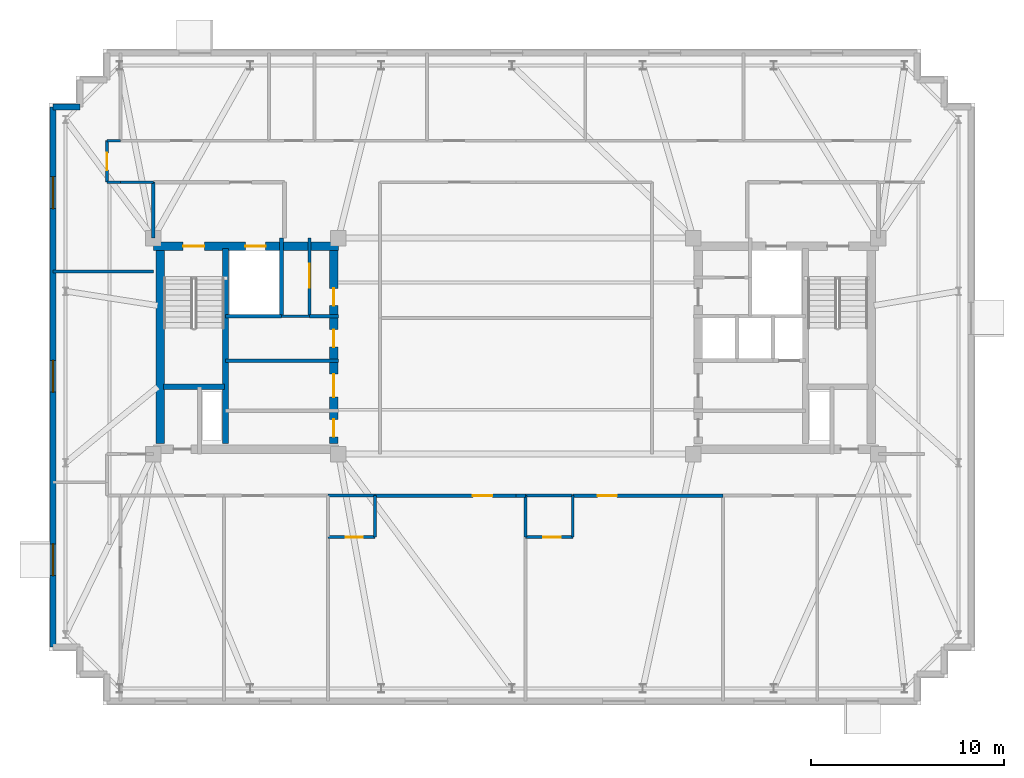
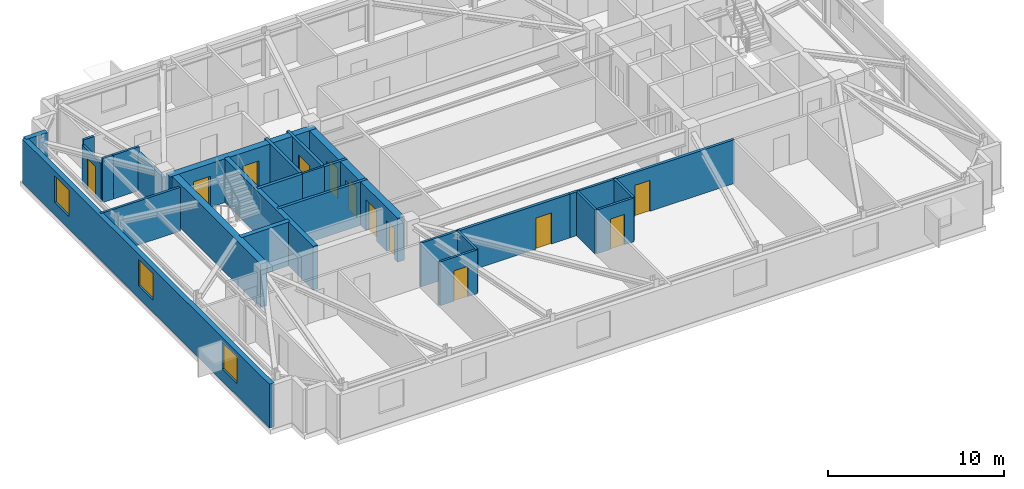
# One storey, part 6 of 11: 29 walls, 12 doors, 3 windows, 15 openings.
"""IFC4 building model written with IfcOpenShell, lengths in metres."""

from ifc_helpers import new_model, si_unit, direction, frame, frame_2d, origin, place, context, subcontext, project, spatial, rectangle, extrude, material, layer, layer_set, type_object, element, fill, save


model = new_model("IFC4")

# Units and contexts
model_context = context("Model", 3, precision=1e-05, world=origin(), true_north=direction((0.0, 1.0)))
body_context = subcontext(model_context, "Body", "Model", "MODEL_VIEW")
ifc_project = project(units=[si_unit("LENGTHUNIT", "METRE"), si_unit("AREAUNIT", "SQUARE_METRE"), si_unit("VOLUMEUNIT", "CUBIC_METRE"), si_unit("PLANEANGLEUNIT", "RADIAN"), si_unit("MASSUNIT", "GRAM", prefix="KILO")], contexts=[model_context])

# Site, building, storey
site_placement = place(None, origin())
site = spatial("IfcSite", under=ifc_project, at=site_placement, CompositionType="ELEMENT")
building_placement = place(site_placement, origin())
building = spatial("IfcBuilding", under=site, at=building_placement, Name="Qobustan Lattice House", CompositionType="ELEMENT")
storey_placement = place(building_placement, frame((0.0, 0.0, 258.449951171875)))
storey = spatial("IfcBuildingStorey", under=building, at=storey_placement, Name="L73", CompositionType="ELEMENT", Elevation=258.449951171875)

# Wall, openings, doors
ifc_material_1 = material(Name="Concrete C50/60", Category="concrete")
ifc_layer_1 = layer(ifc_material_1, 0.43994140625)
ifc_layer_set_1 = layer_set([ifc_layer_1], Name="Concrete C50/60")
wall_type_1 = type_object("IfcWallType", Name="WAL-CORE-440", PredefinedType="SHEAR", material=ifc_layer_set_1)
wall_1_placement = place(storey_placement, frame((-18.800048828125, 5.179931640625, 0.0), z_axis=(0.0, 0.0, 1.0), x_axis=(1.0, 0.0, 0.0)))
wall_1 = element("IfcWall", 1, at=wall_1_placement, inside=storey, type_object=wall_type_1, Name="L73 split-core shear wall CW-N", PredefinedType="SHEAR", context=body_context, shape_type="SweptSolid", body=[
    extrude(rectangle(XDim=9.60009765625, YDim=0.43994140625, at=frame_2d((4.800048828125, 0.0))), origin(), (0.0, 0.0, 1.0), 3.030029296875),
])
opening_1_placement = place(wall_1_placement, frame((1.550048828125, 0.0, 0.0)))
opening_1 = element("IfcOpeningElement", 2, at=opening_1_placement, cuts=wall_1, Name="Opening SD-01", PredefinedType="OPENING", context=body_context, shape_type="SweptSolid", body=[
    extrude(rectangle(XDim=1.10009765625, YDim=2.14990234375, at=frame_2d((0.550048828125, 1.074951171875))), frame((0.0, 0.22998046875, 0.0), z_axis=(0.0, -1.0, 0.0), x_axis=(1.0, 0.0, 0.0)), (0.0, 0.0, 1.0), 0.4599609375),
])
opening_2_placement = place(wall_1_placement, frame((4.77490234375, 0.0, 0.0)))
opening_2 = element("IfcOpeningElement", 3, at=opening_2_placement, cuts=wall_1, Name="Opening LD-01", PredefinedType="OPENING", context=body_context, shape_type="SweptSolid", body=[
    extrude(rectangle(XDim=1.050048828125, YDim=2.10009765625, at=frame_2d((0.52490234375, 1.050048828125))), frame((0.0, 0.22998046875, 0.0), z_axis=(0.0, -1.0, 0.0), x_axis=(1.0, 0.0, 0.0)), (0.0, 0.0, 1.0), 0.4599609375),
])
ifc_material_2 = material(Name="Persian walnut timber and steel frame door", Category="steel")
door_type_1 = type_object("IfcDoorType", Name="DOR-LIFT-LD-1050x2100", OperationType="NOTDEFINED", PredefinedType="DOOR", material=ifc_material_2)
door_1_placement = place(opening_2_placement, origin())
door_1 = element("IfcDoor", 4, at=door_1_placement, inside=storey, type_object=door_type_1, Name="L73 firefighting lift FF-W landing door", OperationType="DOUBLE_DOOR_SLIDING", OverallHeight=2.10009765625, OverallWidth=1.050048828125, PredefinedType="DOOR", context=body_context, shape_type="SweptSolid", body=[
    extrude(rectangle(XDim=1.050048828125, YDim=2.10009765625, at=frame_2d((0.52490234375, 1.050048828125))), frame((0.0, 0.02490234375, 0.0), z_axis=(0.0, -1.0, 0.0), x_axis=(1.0, 0.0, 0.0)), (0.0, 0.0, 1.0), 0.050048828125),
])
fill(opening_2, door_1)
ifc_material_3 = material(Name="Persian walnut timber and steel frame door", Category="steel")
door_type_2 = type_object("IfcDoorType", Name="DOR-STAIR-FD-1100x2150", OperationType="NOTDEFINED", PredefinedType="DOOR", material=ifc_material_3)
door_2_placement = place(opening_1_placement, origin())
door_2 = element("IfcDoor", 5, at=door_2_placement, inside=storey, type_object=door_type_2, Name="L73 exit stair ST-W1 fire door", OperationType="SINGLE_SWING_LEFT", OverallHeight=2.14990234375, OverallWidth=1.10009765625, PredefinedType="DOOR", context=body_context, shape_type="SweptSolid", body=[
    extrude(rectangle(XDim=1.10009765625, YDim=2.14990234375, at=frame_2d((0.550048828125, 1.074951171875))), frame((0.0, 0.02490234375, 0.0), z_axis=(0.0, -1.0, 0.0), x_axis=(1.0, 0.0, 0.0)), (0.0, 0.0, 1.0), 0.050048828125),
])
fill(opening_1, door_2)

# Wall
wall_2_placement = place(storey_placement, frame((-18.429931640625, -5.050048828125, 0.0), z_axis=(0.0, 0.0, 1.0), x_axis=(0.0, 1.0, 0.0)))
element("IfcWall", 6, at=wall_2_placement, inside=storey, type_object=wall_type_1, Name="L73 split-core shear wall CW-W", PredefinedType="SHEAR", context=body_context, shape_type="SweptSolid", body=[
    extrude(rectangle(XDim=10.10009765625, YDim=0.43994140625, at=frame_2d((5.050048828125, 0.0))), origin(), (0.0, 0.0, 1.0), 3.030029296875),
])

# Wall, openings, doors
wall_3_placement = place(storey_placement, frame((-9.449951171875, -5.050048828125, 0.0), z_axis=(0.0, 0.0, 1.0), x_axis=(0.0, 1.0, 0.0)))
wall_3 = element("IfcWall", 7, at=wall_3_placement, inside=storey, type_object=wall_type_1, Name="L73 split-core shear wall CW-E", PredefinedType="SHEAR", context=body_context, shape_type="SweptSolid", body=[
    extrude(rectangle(XDim=10.10009765625, YDim=0.43994140625, at=frame_2d((5.050048828125, 0.0))), origin(), (0.0, 0.0, 1.0), 3.030029296875),
])
opening_3_placement = place(wall_3_placement, frame((7.14990234375, 0.0, 0.0)))
opening_3 = element("IfcOpeningElement", 8, at=opening_3_placement, cuts=wall_3, Name="Opening RD-01", PredefinedType="OPENING", context=body_context, shape_type="SweptSolid", body=[
    extrude(rectangle(XDim=0.89990234375, YDim=2.10009765625, at=frame_2d((0.449951171875, 1.050048828125))), frame((0.0, 0.22998046875, 0.0), z_axis=(0.0, -1.0, 0.0), x_axis=(1.0, 0.0, 0.0)), (0.0, 0.0, 1.0), 0.4599609375),
])
opening_4_placement = place(wall_3_placement, frame((2.39990234375, 0.0, 0.0)))
opening_4 = element("IfcOpeningElement", 9, at=opening_4_placement, cuts=wall_3, Name="Opening FD-01", PredefinedType="OPENING", context=body_context, shape_type="SweptSolid", body=[
    extrude(rectangle(XDim=1.199951171875, YDim=2.14990234375, at=frame_2d((0.60009765625, 1.074951171875))), frame((0.0, 0.22998046875, 0.0), z_axis=(0.0, -1.0, 0.0), x_axis=(1.0, 0.0, 0.0)), (0.0, 0.0, 1.0), 0.4599609375),
])
opening_5_placement = place(wall_3_placement, frame((0.35009765625, 0.0, 0.0)))
opening_5 = element("IfcOpeningElement", 10, at=opening_5_placement, cuts=wall_3, Name="Opening RD-01", PredefinedType="OPENING", context=body_context, shape_type="SweptSolid", body=[
    extrude(rectangle(XDim=0.89990234375, YDim=2.10009765625, at=frame_2d((0.449951171875, 1.050048828125))), frame((0.0, 0.22998046875, 0.0), z_axis=(0.0, -1.0, 0.0), x_axis=(1.0, 0.0, 0.0)), (0.0, 0.0, 1.0), 0.4599609375),
])
opening_6_placement = place(wall_3_placement, frame((5.0, 0.0, 0.0)))
opening_6 = element("IfcOpeningElement", 11, at=opening_6_placement, cuts=wall_3, Name="Opening RD-01", PredefinedType="OPENING", context=body_context, shape_type="SweptSolid", body=[
    extrude(rectangle(XDim=0.89990234375, YDim=2.10009765625, at=frame_2d((0.449951171875, 1.050048828125))), frame((0.0, 0.22998046875, 0.0), z_axis=(0.0, -1.0, 0.0), x_axis=(1.0, 0.0, 0.0)), (0.0, 0.0, 1.0), 0.4599609375),
])
ifc_material_4 = material(Name="Persian walnut timber and steel frame door", Category="steel")
door_type_3 = type_object("IfcDoorType", Name="DOR-LOBBY-FD-1200x2150", OperationType="NOTDEFINED", PredefinedType="DOOR", material=ifc_material_4)
door_3_placement = place(opening_4_placement, origin())
door_3 = element("IfcDoor", 12, at=door_3_placement, inside=storey, type_object=door_type_3, Name="L73 West core foyer fire door", OperationType="SINGLE_SWING_RIGHT", OverallHeight=2.14990234375, OverallWidth=1.199951171875, PredefinedType="DOOR", context=body_context, shape_type="SweptSolid", body=[
    extrude(rectangle(XDim=1.199951171875, YDim=2.14990234375, at=frame_2d((0.60009765625, 1.074951171875))), frame((0.0, 0.02490234375, 0.0), z_axis=(0.0, -1.0, 0.0), x_axis=(1.0, 0.0, 0.0)), (0.0, 0.0, 1.0), 0.050048828125),
])
fill(opening_4, door_3)
ifc_material_5 = material(Name="Persian walnut timber and steel frame door", Category="steel")
door_type_4 = type_object("IfcDoorType", Name="DOR-RISER-FD-900x2100", OperationType="NOTDEFINED", PredefinedType="DOOR", material=ifc_material_5)
door_4_placement = place(opening_3_placement, origin())
door_4 = element("IfcDoor", 13, at=door_4_placement, inside=storey, type_object=door_type_4, Name="L73 Data comms closet fire door", OperationType="SINGLE_SWING_LEFT", OverallHeight=2.10009765625, OverallWidth=0.89990234375, PredefinedType="DOOR", context=body_context, shape_type="SweptSolid", body=[
    extrude(rectangle(XDim=0.89990234375, YDim=2.10009765625, at=frame_2d((0.449951171875, 1.050048828125))), frame((0.0, 0.02490234375, 0.0), z_axis=(0.0, -1.0, 0.0), x_axis=(1.0, 0.0, 0.0)), (0.0, 0.0, 1.0), 0.050048828125),
])
fill(opening_3, door_4)
door_5_placement = place(opening_5_placement, origin())
door_5 = element("IfcDoor", 14, at=door_5_placement, inside=storey, type_object=door_type_4, Name="L73 Collaborative study lounge fire door", OperationType="SINGLE_SWING_LEFT", OverallHeight=2.10009765625, OverallWidth=0.89990234375, PredefinedType="DOOR", context=body_context, shape_type="SweptSolid", body=[
    extrude(rectangle(XDim=0.89990234375, YDim=2.10009765625, at=frame_2d((0.449951171875, 1.050048828125))), frame((0.0, 0.02490234375, 0.0), z_axis=(0.0, -1.0, 0.0), x_axis=(1.0, 0.0, 0.0)), (0.0, 0.0, 1.0), 0.050048828125),
])
fill(opening_5, door_5)
door_6_placement = place(opening_6_placement, origin())
door_6 = element("IfcDoor", 15, at=door_6_placement, inside=storey, type_object=door_type_4, Name="L73 Focus booth pod fire door", OperationType="SINGLE_SWING_RIGHT", OverallHeight=2.10009765625, OverallWidth=0.89990234375, PredefinedType="DOOR", context=body_context, shape_type="SweptSolid", body=[
    extrude(rectangle(XDim=0.89990234375, YDim=2.10009765625, at=frame_2d((0.449951171875, 1.050048828125))), frame((0.0, 0.02490234375, 0.0), z_axis=(0.0, -1.0, 0.0), x_axis=(1.0, 0.0, 0.0)), (0.0, 0.0, 1.0), 0.050048828125),
])
fill(opening_6, door_6)

# Walls
ifc_material_6 = material(Name="Concrete C50/60", Category="concrete")
ifc_layer_2 = layer(ifc_material_6, 0.280029296875)
ifc_layer_set_2 = layer_set([ifc_layer_2], Name="Concrete C50/60")
wall_type_2 = type_object("IfcWallType", Name="WAL-CORE-SPINE-280", PredefinedType="SHEAR", material=ifc_layer_set_2)
wall_4_placement = place(storey_placement, frame((-15.050048828125, -5.050048828125, 0.0), z_axis=(0.0, 0.0, 1.0), x_axis=(0.0, 1.0, 0.0)))
element("IfcWall", 16, at=wall_4_placement, inside=storey, type_object=wall_type_2, Name="L73 split-core shear wall CW-M", PredefinedType="SHEAR", context=body_context, shape_type="SweptSolid", body=[
    extrude(rectangle(XDim=10.10009765625, YDim=0.300048828125, at=frame_2d((5.050048828125, 0.0))), origin(), (0.0, 0.0, 1.0), 3.030029296875),
])
wall_5_placement = place(storey_placement, frame((-18.280029296875, -2.110107421875, 0.0), z_axis=(0.0, 0.0, 1.0), x_axis=(1.0, 0.0, 0.0)))
element("IfcWall", 17, at=wall_5_placement, inside=storey, type_object=wall_type_2, Name="L73 split-core shear wall CW-ST", PredefinedType="SHEAR", context=body_context, shape_type="SweptSolid", body=[
    extrude(rectangle(XDim=3.179931640625, YDim=0.300048828125, at=frame_2d((1.58984375, 0.0))), origin(), (0.0, 0.0, 1.0), 3.030029296875),
])

# Wall, openings, windows
ifc_material_7 = material(Name="Precast concrete C40/50", Category="concrete")
ifc_layer_3 = layer(ifc_material_7, 0.320068359375)
ifc_layer_set_3 = layer_set([ifc_layer_3], Name="Precast concrete C40/50")
wall_type_3 = type_object("IfcWallType", Name="WAL-EXT-STONE-320", PredefinedType="SOLIDWALL", material=ifc_layer_set_3)
wall_6_placement = place(storey_placement, frame((-24.0, -15.60009765625, 0.0), z_axis=(0.0, 0.0, 1.0), x_axis=(0.0, 1.0, 0.0)))
wall_6 = element("IfcWall", 18, at=wall_6_placement, inside=storey, type_object=wall_type_3, Name="L73 exterior limestone-clad wall 5", PredefinedType="SOLIDWALL", context=body_context, shape_type="SweptSolid", body=[
    extrude(rectangle(XDim=28.0, YDim=0.320068359375, at=frame_2d((14.0, 0.0))), origin(), (0.0, 0.0, 1.0), 3.030029296875),
])
opening_7_placement = place(wall_6_placement, frame((3.695068359375, 0.0, 0.85009765625)))
opening_7 = element("IfcOpeningElement", 19, at=opening_7_placement, cuts=wall_6, Name="Opening WN-09", PredefinedType="OPENING", context=body_context, shape_type="SweptSolid", body=[
    extrude(rectangle(XDim=1.64990234375, YDim=1.85009765625, at=frame_2d((0.824951171875, 0.925048828125))), frame((0.0, 0.169921875, 0.0), z_axis=(0.0, -1.0, 0.0), x_axis=(1.0, 0.0, 0.0)), (0.0, 0.0, 1.0), 0.340087890625),
])
opening_8_placement = place(wall_6_placement, frame((13.215087890625, 0.0, 0.85009765625)))
opening_8 = element("IfcOpeningElement", 20, at=opening_8_placement, cuts=wall_6, Name="Opening WN-09", PredefinedType="OPENING", context=body_context, shape_type="SweptSolid", body=[
    extrude(rectangle(XDim=1.64990234375, YDim=1.85009765625, at=frame_2d((0.824951171875, 0.925048828125))), frame((0.0, 0.169921875, 0.0), z_axis=(0.0, -1.0, 0.0), x_axis=(1.0, 0.0, 0.0)), (0.0, 0.0, 1.0), 0.340087890625),
])
opening_9_placement = place(wall_6_placement, frame((22.735107421875, 0.0, 0.85009765625)))
opening_9 = element("IfcOpeningElement", 21, at=opening_9_placement, cuts=wall_6, Name="Opening WN-09", PredefinedType="OPENING", context=body_context, shape_type="SweptSolid", body=[
    extrude(rectangle(XDim=1.64990234375, YDim=1.85009765625, at=frame_2d((0.824951171875, 0.925048828125))), frame((0.0, 0.169921875, 0.0), z_axis=(0.0, -1.0, 0.0), x_axis=(1.0, 0.0, 0.0)), (0.0, 0.0, 1.0), 0.340087890625),
])
ifc_material_8 = material(Name="Double-glazed low-E aluminium window", Category="aluminium")
window_type = type_object("IfcWindowType", Name="WIN-STU-1650x1850", PartitioningType="SINGLE_PANEL", PredefinedType="WINDOW", material=ifc_material_8)
window_1_placement = place(opening_7_placement, origin())
window_1 = element("IfcWindow", 22, at=window_1_placement, inside=storey, type_object=window_type, Name="L73 Focus study room W1 window", OverallHeight=1.85009765625, OverallWidth=1.64990234375, PartitioningType="SINGLE_PANEL", PredefinedType="WINDOW", context=body_context, shape_type="SweptSolid", body=[
    extrude(rectangle(XDim=1.64990234375, YDim=1.85009765625, at=frame_2d((0.824951171875, 0.925048828125))), frame((0.0, 0.030029296875, 0.0), z_axis=(0.0, -1.0, 0.0), x_axis=(1.0, 0.0, 0.0)), (0.0, 0.0, 1.0), 0.06005859375),
])
fill(opening_7, window_1)
window_2_placement = place(opening_8_placement, origin())
window_2 = element("IfcWindow", 23, at=window_2_placement, inside=storey, type_object=window_type, Name="L73 Focus study room W2 window", OverallHeight=1.85009765625, OverallWidth=1.64990234375, PartitioningType="SINGLE_PANEL", PredefinedType="WINDOW", context=body_context, shape_type="SweptSolid", body=[
    extrude(rectangle(XDim=1.64990234375, YDim=1.85009765625, at=frame_2d((0.824951171875, 0.925048828125))), frame((0.0, 0.030029296875, 0.0), z_axis=(0.0, -1.0, 0.0), x_axis=(1.0, 0.0, 0.0)), (0.0, 0.0, 1.0), 0.06005859375),
])
fill(opening_8, window_2)
window_3_placement = place(opening_9_placement, origin())
window_3 = element("IfcWindow", 24, at=window_3_placement, inside=storey, type_object=window_type, Name="L73 Focus study room W3 window", OverallHeight=1.85009765625, OverallWidth=1.64990234375, PartitioningType="SINGLE_PANEL", PredefinedType="WINDOW", context=body_context, shape_type="SweptSolid", body=[
    extrude(rectangle(XDim=1.64990234375, YDim=1.85009765625, at=frame_2d((0.824951171875, 0.925048828125))), frame((0.0, 0.030029296875, 0.0), z_axis=(0.0, -1.0, 0.0), x_axis=(1.0, 0.0, 0.0)), (0.0, 0.0, 1.0), 0.06005859375),
])
fill(opening_9, window_3)

# Wall
wall_7_placement = place(storey_placement, frame((-24.0, 12.39990234375, 0.0), z_axis=(0.0, 0.0, 1.0), x_axis=(1.0, 0.0, 0.0)))
element("IfcWall", 25, at=wall_7_placement, inside=storey, type_object=wall_type_3, Name="L73 exterior limestone-clad wall 6", PredefinedType="SOLIDWALL", context=body_context, shape_type="SweptSolid", body=[
    extrude(rectangle(XDim=1.39990234375, YDim=0.320068359375, at=frame_2d((0.699951171875, 0.0))), origin(), (0.0, 0.0, 1.0), 3.030029296875),
])

# Wall, opening, door
ifc_material_9 = material(Name="Gypsum fireboard acoustic partition", Category="gypsum")
ifc_layer_4 = layer(ifc_material_9, 0.179931640625)
ifc_layer_set_4 = layer_set([ifc_layer_4], Name="Gypsum fireboard acoustic partition")
wall_type_4 = type_object("IfcWallType", Name="WAL-FIRE-180", PredefinedType="PARTITIONING", material=ifc_layer_set_4)
wall_8_placement = place(storey_placement, frame((-10.699951171875, 5.60009765625, 0.0), z_axis=(0.0, 0.0, 1.0), x_axis=(0.0, -1.0, 0.0)))
wall_8 = element("IfcWall", 26, at=wall_8_placement, inside=storey, type_object=wall_type_4, Name="L73 interior partition 6", PredefinedType="PARTITIONING", context=body_context, shape_type="SweptSolid", body=[
    extrude(rectangle(XDim=4.050048828125, YDim=0.179931640625, at=frame_2d((2.02490234375, 0.0))), origin(), (0.0, 0.0, 1.0), 3.030029296875),
])
opening_10_placement = place(wall_8_placement, frame((1.324951171875, 0.0, 0.0)))
opening_10 = element("IfcOpeningElement", 27, at=opening_10_placement, cuts=wall_8, Name="Opening FD-03", PredefinedType="OPENING", context=body_context, shape_type="SweptSolid", body=[
    extrude(rectangle(XDim=1.25, YDim=2.199951171875, at=frame_2d((0.625, 1.10009765625))), frame((0.0, 0.099853515625, 0.0), z_axis=(0.0, -1.0, 0.0), x_axis=(1.0, 0.0, 0.0)), (0.0, 0.0, 1.0), 0.199951171875),
])
ifc_material_10 = material(Name="Persian walnut timber and steel frame door", Category="steel")
door_type_5 = type_object("IfcDoorType", Name="DOR-PLANT-1250x2200", OperationType="NOTDEFINED", PredefinedType="DOOR", material=ifc_material_10)
door_7_placement = place(opening_10_placement, origin())
door_7 = element("IfcDoor", 28, at=door_7_placement, inside=storey, type_object=door_type_5, Name="L73 Data comms closet to Linen store door", OperationType="SINGLE_SWING_RIGHT", OverallHeight=2.199951171875, OverallWidth=1.25, PredefinedType="DOOR", context=body_context, shape_type="SweptSolid", body=[
    extrude(rectangle(XDim=1.25, YDim=2.199951171875, at=frame_2d((0.625, 1.10009765625))), frame((0.0, 0.02490234375, 0.0), z_axis=(0.0, -1.0, 0.0), x_axis=(1.0, 0.0, 0.0)), (0.0, 0.0, 1.0), 0.050048828125),
])
fill(opening_10, door_7)

# Walls
wall_9_placement = place(storey_placement, frame((-10.699951171875, 1.550048828125, 0.0), z_axis=(0.0, 0.0, 1.0), x_axis=(1.0, 0.0, 0.0)))
element("IfcWall", 29, at=wall_9_placement, inside=storey, type_object=wall_type_4, Name="L73 interior partition 7", PredefinedType="PARTITIONING", context=body_context, shape_type="SweptSolid", body=[
    extrude(rectangle(XDim=1.5, YDim=0.179931640625, at=frame_2d((0.75, 0.0))), origin(), (0.0, 0.0, 1.0), 3.030029296875),
])
wall_10_placement = place(storey_placement, frame((-9.199951171875, -0.75, 0.0), z_axis=(0.0, 0.0, 1.0), x_axis=(-1.0, 0.0, 0.0)))
element("IfcWall", 30, at=wall_10_placement, inside=storey, type_object=wall_type_4, Name="L73 interior partition 11", PredefinedType="PARTITIONING", context=body_context, shape_type="SweptSolid", body=[
    extrude(rectangle(XDim=5.85009765625, YDim=0.179931640625, at=frame_2d((2.925048828125, 0.0))), origin(), (0.0, 0.0, 1.0), 3.030029296875),
])

# Wall, opening, door
wall_11_placement = place(storey_placement, frame((0.0, -7.75, 0.0), z_axis=(0.0, 0.0, 1.0), x_axis=(-1.0, 0.0, 0.0)))
wall_11 = element("IfcWall", 31, at=wall_11_placement, inside=storey, type_object=wall_type_4, Name="L73 interior partition 53", PredefinedType="PARTITIONING", context=body_context, shape_type="SweptSolid", body=[
    extrude(rectangle(XDim=7.300048828125, YDim=0.179931640625, at=frame_2d((3.64990234375, 0.0))), origin(), (0.0, 0.0, 1.0), 3.030029296875),
])
opening_11_placement = place(wall_11_placement, frame((1.222412109375, 0.0, 0.0)))
opening_11 = element("IfcOpeningElement", 32, at=opening_11_placement, cuts=wall_11, Name="Opening FD-02", PredefinedType="OPENING", context=body_context, shape_type="SweptSolid", body=[
    extrude(rectangle(XDim=1.0, YDim=2.14990234375, at=frame_2d((0.5, 1.074951171875))), frame((0.0, 0.099853515625, 0.0), z_axis=(0.0, -1.0, 0.0), x_axis=(1.0, 0.0, 0.0)), (0.0, 0.0, 1.0), 0.199951171875),
])
ifc_material_11 = material(Name="Persian walnut timber and steel frame door", Category="steel")
door_type_6 = type_object("IfcDoorType", Name="DOR-UNIT-FD-1000x2150", OperationType="NOTDEFINED", PredefinedType="DOOR", material=ifc_material_11)
door_8_placement = place(opening_11_placement, origin())
door_8 = element("IfcDoor", 33, at=door_8_placement, inside=storey, type_object=door_type_6, Name="L73 South-west floor corridor to Kitchenette and studio apartment L73-S2 door", OperationType="SINGLE_SWING_RIGHT", OverallHeight=2.14990234375, OverallWidth=1.0, PredefinedType="DOOR", context=body_context, shape_type="SweptSolid", body=[
    extrude(rectangle(XDim=1.0, YDim=2.14990234375, at=frame_2d((0.5, 1.074951171875))), frame((0.0, 0.02490234375, 0.0), z_axis=(0.0, -1.0, 0.0), x_axis=(1.0, 0.0, 0.0)), (0.0, 0.0, 1.0), 0.050048828125),
])
fill(opening_11, door_8)

# Wall
wall_12_placement = place(storey_placement, frame((0.5, -7.75, 0.0), z_axis=(0.0, 0.0, 1.0), x_axis=(-1.0, 0.0, 0.0)))
element("IfcWall", 34, at=wall_12_placement, inside=storey, type_object=wall_type_4, Name="L73 interior partition 57", PredefinedType="PARTITIONING", context=body_context, shape_type="SweptSolid", body=[
    extrude(rectangle(XDim=0.5, YDim=0.179931640625, at=frame_2d((0.25, 0.0))), origin(), (0.0, 0.0, 1.0), 3.030029296875),
])

# Wall, opening, door
wall_13_placement = place(storey_placement, frame((10.75, -7.75, 0.0), z_axis=(0.0, 0.0, 1.0), x_axis=(-1.0, 0.0, 0.0)))
wall_13 = element("IfcWall", 35, at=wall_13_placement, inside=storey, type_object=wall_type_4, Name="L73 interior partition 58", PredefinedType="PARTITIONING", context=body_context, shape_type="SweptSolid", body=[
    extrude(rectangle(XDim=7.800048828125, YDim=0.179931640625, at=frame_2d((3.89990234375, 0.0))), origin(), (0.0, 0.0, 1.0), 3.030029296875),
])
opening_12_placement = place(wall_13_placement, frame((5.514892578125, 0.0, 0.0)))
opening_12 = element("IfcOpeningElement", 36, at=opening_12_placement, cuts=wall_13, Name="Opening FD-02", PredefinedType="OPENING", context=body_context, shape_type="SweptSolid", body=[
    extrude(rectangle(XDim=1.0, YDim=2.14990234375, at=frame_2d((0.5, 1.074951171875))), frame((0.0, 0.099853515625, 0.0), z_axis=(0.0, -1.0, 0.0), x_axis=(1.0, 0.0, 0.0)), (0.0, 0.0, 1.0), 0.199951171875),
])
door_9_placement = place(opening_12_placement, origin())
door_9 = element("IfcDoor", 37, at=door_9_placement, inside=storey, type_object=door_type_6, Name="L73 South-east floor corridor to Kitchenette and studio apartment L73-S3 door", OperationType="SINGLE_SWING_LEFT", OverallHeight=2.14990234375, OverallWidth=1.0, PredefinedType="DOOR", context=body_context, shape_type="SweptSolid", body=[
    extrude(rectangle(XDim=1.0, YDim=2.14990234375, at=frame_2d((0.5, 1.074951171875))), frame((0.0, 0.02490234375, 0.0), z_axis=(0.0, -1.0, 0.0), x_axis=(1.0, 0.0, 0.0)), (0.0, 0.0, 1.0), 0.050048828125),
])
fill(opening_12, door_9)

# Wall
ifc_material_12 = material(Name="Lightweight acoustic stud partition", Category="gypsum")
ifc_layer_5 = layer(ifc_material_12, 0.125)
ifc_layer_set_5 = layer_set([ifc_layer_5], Name="Lightweight acoustic stud partition")
wall_type_5 = type_object("IfcWallType", Name="WAL-PART-125", PredefinedType="PARTITIONING", material=ifc_layer_set_5)
wall_14_placement = place(storey_placement, frame((-12.14990234375, 1.550048828125, 0.0), z_axis=(0.0, 0.0, 1.0), x_axis=(1.0, 0.0, 0.0)))
element("IfcWall", 38, at=wall_14_placement, inside=storey, type_object=wall_type_5, Name="L73 interior partition 9", PredefinedType="PARTITIONING", context=body_context, shape_type="SweptSolid", body=[
    extrude(rectangle(XDim=1.449951171875, YDim=0.125, at=frame_2d((0.72509765625, 0.0))), origin(), (0.0, 0.0, 1.0), 3.030029296875),
])

# Wall, opening, door
ifc_material_13 = material(Name="Acoustic twin-stud gypsum partition", Category="gypsum")
ifc_layer_6 = layer(ifc_material_13, 0.14990234375)
ifc_layer_set_6 = layer_set([ifc_layer_6], Name="Acoustic twin-stud gypsum partition")
wall_type_6 = type_object("IfcWallType", Name="WAL-PART-150", PredefinedType="PARTITIONING", material=ifc_layer_set_6)
wall_15_placement = place(storey_placement, frame((-21.199951171875, 8.5, 0.0), z_axis=(0.0, 0.0, 1.0), x_axis=(0.0, 1.0, 0.0)))
wall_15 = element("IfcWall", 39, at=wall_15_placement, inside=storey, type_object=wall_type_6, Name="L73 interior partition 31", PredefinedType="PARTITIONING", context=body_context, shape_type="SweptSolid", body=[
    extrude(rectangle(XDim=2.14990234375, YDim=0.14990234375, at=frame_2d((1.074951171875, 0.0))), origin(), (0.0, 0.0, 1.0), 2.68505859375),
])
opening_13_placement = place(wall_15_placement, frame((0.625, 0.0, 0.0)))
opening_13 = element("IfcOpeningElement", 40, at=opening_13_placement, cuts=wall_15, Name="Opening WD-01", PredefinedType="OPENING", context=body_context, shape_type="SweptSolid", body=[
    extrude(rectangle(XDim=0.89990234375, YDim=2.10009765625, at=frame_2d((0.449951171875, 1.050048828125))), frame((0.0, 0.0849609375, 0.0), z_axis=(0.0, -1.0, 0.0), x_axis=(1.0, 0.0, 0.0)), (0.0, 0.0, 1.0), 0.169921875),
])
ifc_material_14 = material(Name="Persian walnut timber and steel frame door", Category="steel")
door_type_7 = type_object("IfcDoorType", Name="DOR-WET-900x2100", OperationType="NOTDEFINED", PredefinedType="DOOR", material=ifc_material_14)
door_10_placement = place(opening_13_placement, origin())
door_10 = element("IfcDoor", 41, at=door_10_placement, inside=storey, type_object=door_type_7, Name="L73 North-west floor corridor to Focus study room W3 door", OperationType="SINGLE_SWING_RIGHT", OverallHeight=2.10009765625, OverallWidth=0.89990234375, PredefinedType="DOOR", context=body_context, shape_type="SweptSolid", body=[
    extrude(rectangle(XDim=0.89990234375, YDim=2.10009765625, at=frame_2d((0.449951171875, 1.050048828125))), frame((0.0, 0.02490234375, 0.0), z_axis=(0.0, -1.0, 0.0), x_axis=(1.0, 0.0, 0.0)), (0.0, 0.0, 1.0), 0.050048828125),
])
fill(opening_13, door_10)

# Walls
wall_16_placement = place(storey_placement, frame((-18.800048828125, 8.5, 0.0), z_axis=(0.0, 0.0, 1.0), x_axis=(-1.0, 0.0, 0.0)))
element("IfcWall", 42, at=wall_16_placement, inside=storey, type_object=wall_type_6, Name="L73 interior partition 32", PredefinedType="PARTITIONING", context=body_context, shape_type="SweptSolid", body=[
    extrude(rectangle(XDim=1.699951171875, YDim=0.14990234375, at=frame_2d((0.85009765625, 0.0))), origin(), (0.0, 0.0, 1.0), 3.030029296875),
])
for number, where, z_axis, x_axis, name in (
    (43, (-20.5, 8.5, 0.0), (0.0, 0.0, 1.0), (-1.0, 0.0, 0.0), "L73 interior partition 33"),
    (44, (-21.199951171875, 10.64990234375, 0.0), (0.0, 0.0, 1.0), (1.0, 0.0, 0.0), "L73 interior partition 34"),
):
    element("IfcWall", number, at=place(storey_placement, frame(where, z_axis=z_axis, x_axis=x_axis)), inside=storey, type_object=wall_type_6, Name=name, PredefinedType="PARTITIONING", context=body_context, shape_type="SweptSolid", body=[
        extrude(rectangle(XDim=0.699951171875, YDim=0.14990234375, at=frame_2d((0.35009765625, 0.0))), origin(), (0.0, 0.0, 1.0), 3.030029296875),
    ])
wall_17_placement = place(storey_placement, frame((-24.0, 3.860107421875, 0.0), z_axis=(0.0, 0.0, 1.0), x_axis=(1.0, 0.0, 0.0)))
element("IfcWall", 45, at=wall_17_placement, inside=storey, type_object=wall_type_6, Name="L73 interior partition 68", PredefinedType="PARTITIONING", context=body_context, shape_type="SweptSolid", body=[
    extrude(rectangle(XDim=5.199951171875, YDim=0.14990234375, at=frame_2d((2.60009765625, 0.0))), origin(), (0.0, 0.0, 1.0), 3.030029296875),
])
ifc_material_15 = material(Name="Two-hour gypsum fireboard acoustic partition", Category="gypsum")
ifc_layer_7 = layer(ifc_material_15, 0.199951171875)
ifc_layer_set_7 = layer_set([ifc_layer_7], Name="Two-hour gypsum fireboard acoustic partition")
wall_type_7 = type_object("IfcWallType", Name="WAL-PROT-200", PredefinedType="PARTITIONING", material=ifc_layer_set_7)
wall_18_placement = place(storey_placement, frame((-18.800048828125, 8.5, 0.0), z_axis=(0.0, 0.0, 1.0), x_axis=(0.0, -1.0, 0.0)))
element("IfcWall", 46, at=wall_18_placement, inside=storey, type_object=wall_type_7, Name="L73 interior partition 5", PredefinedType="PARTITIONING", context=body_context, shape_type="SweptSolid", body=[
    extrude(rectangle(XDim=2.89990234375, YDim=0.199951171875, at=frame_2d((1.449951171875, 0.0))), origin(), (0.0, 0.0, 1.0), 2.655029296875),
])
ifc_material_16 = material(Name="Concrete C40/50", Category="concrete")
ifc_layer_8 = layer(ifc_material_16, 0.199951171875)
ifc_layer_set_8 = layer_set([ifc_layer_8], Name="Concrete C40/50")
wall_type_8 = type_object("IfcWallType", Name="WAL-SHAFT-200", PredefinedType="PARTITIONING", material=ifc_layer_set_8)
wall_19_placement = place(storey_placement, frame((-12.14990234375, 1.550048828125, 0.0), z_axis=(0.0, 0.0, 1.0), x_axis=(0.0, 1.0, 0.0)))
element("IfcWall", 47, at=wall_19_placement, inside=storey, type_object=wall_type_8, Name="L73 interior partition 2", PredefinedType="PARTITIONING", context=body_context, shape_type="SweptSolid", body=[
    extrude(rectangle(XDim=4.050048828125, YDim=0.199951171875, at=frame_2d((2.02490234375, 0.0))), origin(), (0.0, 0.0, 1.0), 3.030029296875),
])
wall_20_placement = place(storey_placement, frame((-15.050048828125, 1.550048828125, 0.0), z_axis=(0.0, 0.0, 1.0), x_axis=(1.0, 0.0, 0.0)))
element("IfcWall", 48, at=wall_20_placement, inside=storey, type_object=wall_type_8, Name="L73 interior partition 87", PredefinedType="PARTITIONING", context=body_context, shape_type="SweptSolid", body=[
    extrude(rectangle(XDim=2.900146484375, YDim=0.199951171875, at=frame_2d((1.4501953125, 0.0))), origin(), (0.0, 0.0, 1.0), 3.030029296875),
])
ifc_material_17 = material(Name="Moisture-resistant acoustic plumbing wall", Category="gypsum")
ifc_layer_9 = layer(ifc_material_17, 0.14990234375)
ifc_layer_set_9 = layer_set([ifc_layer_9], Name="Moisture-resistant acoustic plumbing wall")
wall_type_9 = type_object("IfcWallType", Name="WAL-WET-150", PredefinedType="PLUMBINGWALL", material=ifc_layer_set_9)
for number, where, z_axis, x_axis, name in (
    (49, (-7.300048828125, -7.75, 0.0), (0.0, 0.0, 1.0), (-1.0, 0.0, 0.0), "L73 interior partition 54"),
    (50, (2.949951171875, -7.75, 0.0), (0.0, 0.0, 1.0), (-1.0, 0.0, 0.0), "L73 interior partition 59"),
):
    element("IfcWall", number, at=place(storey_placement, frame(where, z_axis=z_axis, x_axis=x_axis)), inside=storey, type_object=wall_type_9, Name=name, PredefinedType="PLUMBINGWALL", context=body_context, shape_type="SweptSolid", body=[
        extrude(rectangle(XDim=2.449951171875, YDim=0.14990234375, at=frame_2d((1.22509765625, 0.0))), origin(), (0.0, 0.0, 1.0), 3.030029296875),
    ])

# Wall, opening, door
wall_21_placement = place(storey_placement, frame((-9.75, -9.89990234375, 0.0), z_axis=(0.0, 0.0, 1.0), x_axis=(1.0, 0.0, 0.0)))
wall_21 = element("IfcWall", 51, at=wall_21_placement, inside=storey, type_object=wall_type_9, Name="L73 interior partition 78", PredefinedType="PLUMBINGWALL", context=body_context, shape_type="SweptSolid", body=[
    extrude(rectangle(XDim=2.449951171875, YDim=0.14990234375, at=frame_2d((1.22509765625, 0.0))), origin(), (0.0, 0.0, 1.0), 3.030029296875),
])
opening_14_placement = place(wall_21_placement, frame((0.92138671875, 0.0, 0.0)))
opening_14 = element("IfcOpeningElement", 52, at=opening_14_placement, cuts=wall_21, Name="Opening WD-01", PredefinedType="OPENING", context=body_context, shape_type="SweptSolid", body=[
    extrude(rectangle(XDim=0.89990234375, YDim=2.10009765625, at=frame_2d((0.449951171875, 1.050048828125))), frame((0.0, 0.0849609375, 0.0), z_axis=(0.0, -1.0, 0.0), x_axis=(1.0, 0.0, 0.0)), (0.0, 0.0, 1.0), 0.169921875),
])
door_11_placement = place(opening_14_placement, origin())
door_11 = element("IfcDoor", 53, at=door_11_placement, inside=storey, type_object=door_type_7, Name="L73 Kitchenette and studio apartment L73-S2 to En-suite bathroom L73-S2 door", OperationType="SINGLE_SWING_LEFT", OverallHeight=2.10009765625, OverallWidth=0.89990234375, PredefinedType="DOOR", context=body_context, shape_type="SweptSolid", body=[
    extrude(rectangle(XDim=0.89990234375, YDim=2.10009765625, at=frame_2d((0.449951171875, 1.050048828125))), frame((0.0, 0.02490234375, 0.0), z_axis=(0.0, -1.0, 0.0), x_axis=(1.0, 0.0, 0.0)), (0.0, 0.0, 1.0), 0.050048828125),
])
fill(opening_14, door_11)

# Walls
for number, where, z_axis, x_axis, name in (
    (54, (-7.300048828125, -9.89990234375, 0.0), (0.0, 0.0, 1.0), (0.0, 1.0, 0.0), "L73 interior partition 79"),
    (55, (0.5, -7.75, 0.0), (0.0, 0.0, 1.0), (0.0, -1.0, 0.0), "L73 interior partition 81"),
):
    element("IfcWall", number, at=place(storey_placement, frame(where, z_axis=z_axis, x_axis=x_axis)), inside=storey, type_object=wall_type_9, Name=name, PredefinedType="PLUMBINGWALL", context=body_context, shape_type="SweptSolid", body=[
        extrude(rectangle(XDim=2.14990234375, YDim=0.14990234375, at=frame_2d((1.074951171875, 0.0))), origin(), (0.0, 0.0, 1.0), 3.030029296875),
    ])

# Wall, opening, door
wall_22_placement = place(storey_placement, frame((0.5, -9.89990234375, 0.0), z_axis=(0.0, 0.0, 1.0), x_axis=(1.0, 0.0, 0.0)))
wall_22 = element("IfcWall", 56, at=wall_22_placement, inside=storey, type_object=wall_type_9, Name="L73 interior partition 82", PredefinedType="PLUMBINGWALL", context=body_context, shape_type="SweptSolid", body=[
    extrude(rectangle(XDim=2.449951171875, YDim=0.14990234375, at=frame_2d((1.22509765625, 0.0))), origin(), (0.0, 0.0, 1.0), 3.030029296875),
])
opening_15_placement = place(wall_22_placement, frame((0.92138671875, 0.0, 0.0)))
opening_15 = element("IfcOpeningElement", 57, at=opening_15_placement, cuts=wall_22, Name="Opening WD-01", PredefinedType="OPENING", context=body_context, shape_type="SweptSolid", body=[
    extrude(rectangle(XDim=0.89990234375, YDim=2.10009765625, at=frame_2d((0.449951171875, 1.050048828125))), frame((0.0, 0.0849609375, 0.0), z_axis=(0.0, -1.0, 0.0), x_axis=(1.0, 0.0, 0.0)), (0.0, 0.0, 1.0), 0.169921875),
])
door_12_placement = place(opening_15_placement, origin())
door_12 = element("IfcDoor", 58, at=door_12_placement, inside=storey, type_object=door_type_7, Name="L73 Kitchenette and studio apartment L73-S3 to En-suite bathroom L73-S3 door", OperationType="SINGLE_SWING_RIGHT", OverallHeight=2.10009765625, OverallWidth=0.89990234375, PredefinedType="DOOR", context=body_context, shape_type="SweptSolid", body=[
    extrude(rectangle(XDim=0.89990234375, YDim=2.10009765625, at=frame_2d((0.449951171875, 1.050048828125))), frame((0.0, 0.02490234375, 0.0), z_axis=(0.0, -1.0, 0.0), x_axis=(1.0, 0.0, 0.0)), (0.0, 0.0, 1.0), 0.050048828125),
])
fill(opening_15, door_12)

# Wall
wall_23_placement = place(storey_placement, frame((2.949951171875, -9.89990234375, 0.0), z_axis=(0.0, 0.0, 1.0), x_axis=(0.0, 1.0, 0.0)))
element("IfcWall", 59, at=wall_23_placement, inside=storey, type_object=wall_type_9, Name="L73 interior partition 83", PredefinedType="PLUMBINGWALL", context=body_context, shape_type="SweptSolid", body=[
    extrude(rectangle(XDim=2.14990234375, YDim=0.14990234375, at=frame_2d((1.074951171875, 0.0))), origin(), (0.0, 0.0, 1.0), 3.030029296875),
])

save(model, "model.ifc")
